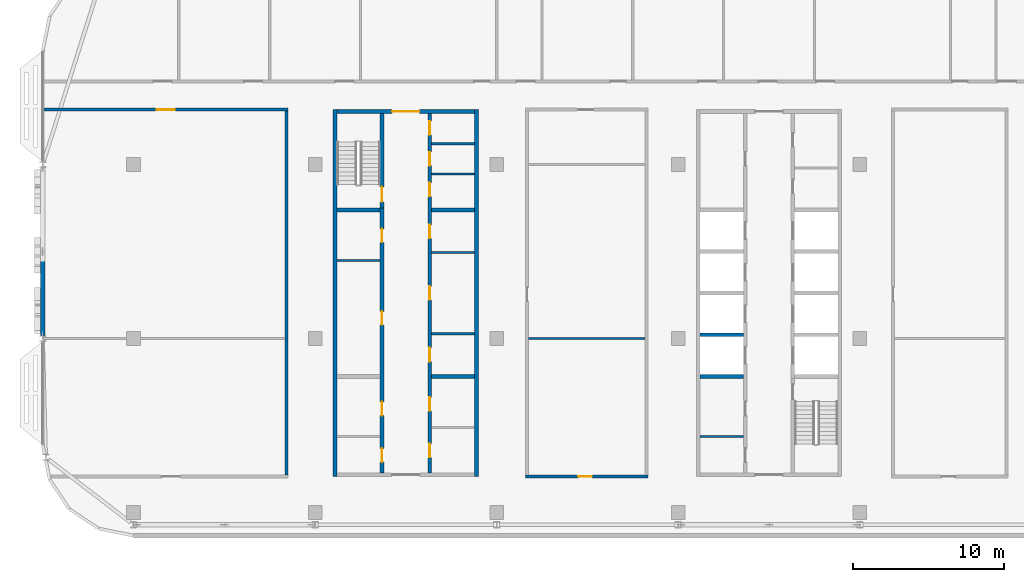
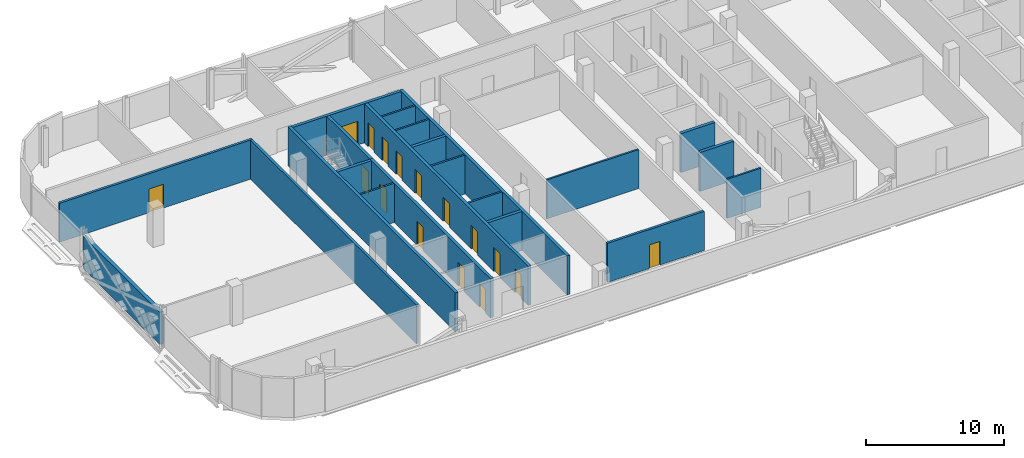
# One storey, part 13 of 29: 22 walls, 16 doors, 16 openings.
"""IFC4 building model written with IfcOpenShell, lengths in metres."""

import ifcopenshell
import ifcopenshell.guid

model = None  # the IFC model being written
_history = None  # IfcOwnerHistory: only IFC2X3 demands one
_inside = {}  # id of a spatial element -> (the spatial element, [elements in it])
_under = {}  # id of a project, library or spatial element -> (it, [spatial elements below it])
_declared = {}  # id of a project -> (the project, [libraries it declares])
_typed = {}  # id of a type object -> (the type object, [elements of that type])
_made_of = {}  # id of a material, layer set ... -> (it, [elements and type objects made of it])


def new_model(schema):
    """Start an empty IFC model of exactly this schema.

    Asked for "IFC4X3", IfcOpenShell would pick the latest addendum, in which some entities
    have other attributes; the version numbers below select the first issue.
    IFC2X3 requires an IfcOwnerHistory on every rooted entity: one is made here for all.
    """
    global model, _history
    if schema == "IFC4X3":
        model = ifcopenshell.file(schema_version=(4, 3, 0, 0))
    else:
        model = ifcopenshell.file(schema=schema)
    _inside.clear()
    _under.clear()
    _declared.clear()
    _typed.clear()
    _made_of.clear()
    _history = None
    if model.schema == "IFC2X3":
        org = make("IfcOrganization", Name="unknown")
        user = make(
            "IfcPersonAndOrganization",
            ThePerson=make("IfcPerson", FamilyName="unknown"),
            TheOrganization=org,
        )
        app = make(
            "IfcApplication",
            ApplicationDeveloper=org,
            Version="unknown",
            ApplicationFullName="unknown",
            ApplicationIdentifier="unknown",
        )
        _history = make(
            "IfcOwnerHistory",
            OwningUser=user,
            OwningApplication=app,
            ChangeAction="ADDED",
            CreationDate=0,
        )
    return model


def make(cls, **values):
    """One entity of the class cls with the attributes given. An attribute that is None is left unset."""
    return model.create_entity(
        cls, **{name: value for name, value in values.items() if value is not None}
    )


def rooted(cls, **values):
    """An entity with a GlobalId (a new one), such as an element, a storey or a relation."""
    return make(cls, GlobalId=ifcopenshell.guid.new(), OwnerHistory=_history, **values)


def si_unit(unit_type, name, prefix=None):
    """IfcSIUnit, for example si_unit("LENGTHUNIT", "METRE", prefix="MILLI")."""
    return make("IfcSIUnit", UnitType=unit_type, Prefix=prefix, Name=name)


def assignment(units):
    """IfcUnitAssignment: the units of a project."""
    return None if units is None else make("IfcUnitAssignment", Units=units)


def point(xyz):
    """IfcCartesianPoint."""
    return None if xyz is None else make("IfcCartesianPoint", Coordinates=xyz)


def direction(xyz):
    """IfcDirection."""
    return None if xyz is None else make("IfcDirection", DirectionRatios=xyz)


def frame(location, z_axis=None, x_axis=None):
    """IfcAxis2Placement3D, a coordinate frame: its origin and axes. An axis left out is left unset."""
    return make(
        "IfcAxis2Placement3D",
        Location=point(location),
        Axis=direction(z_axis),
        RefDirection=direction(x_axis),
    )


def frame_2d(location, x_axis=None):
    """IfcAxis2Placement2D, a coordinate frame in the plane: its origin and x axis."""
    return make(
        "IfcAxis2Placement2D", Location=point(location), RefDirection=direction(x_axis)
    )


def origin():
    """The frame at (0, 0, 0) with its axes left unset."""
    return frame((0.0, 0.0, 0.0))


def place(relative_to, where):
    """IfcLocalPlacement: puts the frame where relative to a parent placement (None: the world)."""
    return make(
        "IfcLocalPlacement", PlacementRelTo=relative_to, RelativePlacement=where
    )


def context(
    kind, dimensions, precision=None, world=None, true_north=None, identifier=None
):
    """IfcGeometricRepresentationContext, for example the 3D "Model" context."""
    return make(
        "IfcGeometricRepresentationContext",
        ContextIdentifier=identifier,
        ContextType=kind,
        CoordinateSpaceDimension=dimensions,
        Precision=precision,
        WorldCoordinateSystem=world,
        TrueNorth=true_north,
    )


def subcontext(parent, identifier, kind, view, scale=None):
    """IfcGeometricRepresentationSubContext, for example "Body" below "Model"."""
    return make(
        "IfcGeometricRepresentationSubContext",
        ContextIdentifier=identifier,
        ContextType=kind,
        ParentContext=parent,
        TargetScale=scale,
        TargetView=view,
    )


def project(units=None, contexts=None):
    """IfcProject with its units and contexts."""
    return rooted(
        "IfcProject",
        Name="project",
        RepresentationContexts=contexts,
        UnitsInContext=assignment(units),
    )


def spatial(cls, under=None, at=None, **own):
    """A site, building, storey or space (cls), placed at a placement, below another one or the project."""
    s = rooted(cls, ObjectPlacement=at, **own)
    if under is not None:
        _under.setdefault(under.id(), (under, []))[1].append(s)
    return s


def profile(cls, at=None, kind="AREA", **sizes):
    """A parametric profile (cls). Its sizes go by their IFC names, for example OverallWidth=200.0."""
    return make(cls, ProfileType=kind, Position=at, **sizes)


def rectangle(**sizes):
    """IfcRectangleProfileDef."""
    return profile("IfcRectangleProfileDef", **sizes)


def extrude(swept, where, along, depth):
    """IfcExtrudedAreaSolid: the profile swept, set in the frame where, extruded along a direction by depth."""
    return make(
        "IfcExtrudedAreaSolid",
        SweptArea=swept,
        Position=where,
        ExtrudedDirection=direction(along),
        Depth=depth,
    )


def shape(context_of_items, identifier, shape_type, items):
    """IfcShapeRepresentation: the items that make up one representation, for example the "Body"."""
    return make(
        "IfcShapeRepresentation",
        ContextOfItems=context_of_items,
        RepresentationIdentifier=identifier,
        RepresentationType=shape_type,
        Items=items,
    )


def material(Name=None, Category=None):
    """IfcMaterial."""
    return make("IfcMaterial", Name=Name, Category=Category)


def layer(
    of_material, thickness, ventilated=None, Name=None, Category=None, Priority=None
):
    """IfcMaterialLayer: one layer of a wall or slab, of a material (None: an air gap)."""
    return make(
        "IfcMaterialLayer",
        Material=of_material,
        LayerThickness=thickness,
        IsVentilated=ventilated,
        Name=Name,
        Category=Category,
        Priority=Priority,
    )


def layer_set(layers, Name=None):
    """IfcMaterialLayerSet."""
    return make("IfcMaterialLayerSet", MaterialLayers=layers, LayerSetName=Name)


def made_of(thing, what):
    """Note that an element or type object is made of a material, layer set ...; save() writes the relation."""
    if what is not None:
        _made_of.setdefault(what.id(), (what, []))[1].append(thing)
    return thing


def type_object(cls, material=None, **own):
    """A type object (cls), such as IfcWallType, which elements share."""
    return made_of(rooted(cls, **own), material)


def element(
    cls,
    number,
    at=None,
    inside=None,
    cuts=None,
    type_object=None,
    material=None,
    context=None,
    identifier="Body",
    shape_type=None,
    held_by="IfcProductDefinitionShape",
    body=None,
    shapes=None,
    **own,
):
    """One element of the class cls, such as IfcWall. Its Tag is "e" and its number.

    at: its placement. inside: the storey or other place that contains it. cuts: it is an
    opening in that element (IfcRelVoidsElement). A single representation is given by context,
    identifier, shape_type and body (its items); several are given by shapes. held_by: the class
    of the entity that holds the representations. save() writes the other relations.
    """
    e = rooted(cls, Tag="e%d" % number, ObjectPlacement=at, **own)
    if body is not None:
        shapes = [shape(context, identifier, shape_type, body)]
    if shapes is not None:
        e.Representation = make(held_by, Representations=shapes)
    if inside is not None:
        _inside.setdefault(inside.id(), (inside, []))[1].append(e)
    if cuts is not None:
        rooted(
            "IfcRelVoidsElement", RelatingBuildingElement=cuts, RelatedOpeningElement=e
        )
    if type_object is not None:
        _typed.setdefault(type_object.id(), (type_object, []))[1].append(e)
    return made_of(e, material)


def fill(opening, filler):
    """IfcRelFillsElement: the door or window that sits in an opening."""
    return rooted(
        "IfcRelFillsElement",
        RelatingOpeningElement=opening,
        RelatedBuildingElement=filler,
    )


def aggregate(whole, parts):
    """IfcRelAggregates: a whole, such as a stair, and the parts it consists of."""
    return rooted("IfcRelAggregates", RelatingObject=whole, RelatedObjects=parts)


def save(model, path):
    """Write the relations noted so far, then the file.

    IfcRelAggregates (storeys below a building ...), IfcRelContainedInSpatialStructure (elements
    in a storey), IfcRelDefinesByType, IfcRelAssociatesMaterial and IfcRelDeclares: one each for
    every whole, place, type object, material and project.
    """
    for whole, parts in _under.values():
        aggregate(whole, parts)
    for where, things in _inside.values():
        rooted(
            "IfcRelContainedInSpatialStructure",
            RelatedElements=things,
            RelatingStructure=where,
        )
    for kind, things in _typed.values():
        rooted("IfcRelDefinesByType", RelatedObjects=things, RelatingType=kind)
    for what, things in _made_of.values():
        rooted("IfcRelAssociatesMaterial", RelatedObjects=things, RelatingMaterial=what)
    for by, libraries in _declared.values():
        rooted("IfcRelDeclares", RelatingContext=by, RelatedDefinitions=libraries)
    model.write(path)


model = new_model("IFC4")

# Units and contexts
model_context = context("Model", 3, precision=1e-05, world=origin(), true_north=direction((0.0, 1.0)))
body_context = subcontext(model_context, "Body", "Model", "MODEL_VIEW")
ifc_project = project(units=[si_unit("LENGTHUNIT", "METRE"), si_unit("AREAUNIT", "SQUARE_METRE"), si_unit("VOLUMEUNIT", "CUBIC_METRE"), si_unit("PLANEANGLEUNIT", "RADIAN"), si_unit("MASSUNIT", "GRAM", prefix="KILO")], contexts=[model_context])

# Site, building, storey
site_placement = place(None, origin())
site = spatial("IfcSite", under=ifc_project, at=site_placement, CompositionType="ELEMENT")
building_placement = place(site_placement, origin())
building = spatial("IfcBuilding", under=site, at=building_placement, Name="Mahtab Terrace Research Tower", CompositionType="ELEMENT")
storey_placement = place(building_placement, frame((0.0, 0.0, 274.699951171875)))
storey = spatial("IfcBuildingStorey", under=building, at=storey_placement, Name="L67", CompositionType="ELEMENT", Elevation=274.699951171875)

# Walls
ifc_material_1 = material(Name="Gypsum board partition")
ifc_layer_1 = layer(ifc_material_1, 0.14990234375)
ifc_layer_set_1 = layer_set([ifc_layer_1], Name="Core partition 150")
wall_type_1 = type_object("IfcWallType", Name="Core partition 150", PredefinedType="PARTITIONING", material=ifc_layer_set_1)
for number, where, z_axis, x_axis, name in (
    (1, (-28.550048828125, 5.14990234375, 0.0), (0.0, 0.0, 1.0), (1.0, 0.0, 0.0), "Core wall A pWL215"),
    (2, (-22.300048828125, 0.3125, 0.0), (0.0, 0.0, 1.0), (1.0, 0.0, 0.0), "Core wall A pEL-269"),
    (3, (-22.300048828125, 5.6875, 0.0), (0.0, 0.0, 1.0), (1.0, 0.0, 0.0), "Core wall A pEL269"),
    (4, (-22.300048828125, 10.875, 0.0), (0.0, 0.0, 1.0), (1.0, 0.0, 0.0), "Core wall A pEN788"),
    (5, (-22.300048828125, 12.875, 0.0), (0.0, 0.0, 1.0), (1.0, 0.0, 0.0), "Core wall A pEN988"),
    (6, (-4.550048828125, -6.47509765625, 0.0), (0.0, 0.0, 1.0), (1.0, 0.0, 0.0), "Core wall B pWS-948"),
):
    element("IfcWall", number, at=place(storey_placement, frame(where, z_axis=z_axis, x_axis=x_axis)), inside=storey, type_object=wall_type_1, Name=name, PredefinedType="PARTITIONING", context=body_context, shape_type="SweptSolid", body=[
        extrude(rectangle(XDim=2.85009765625, YDim=0.14990234375, at=frame_2d((1.425048828125, 0.0))), origin(), (0.0, 0.0, 1.0), 3.4599609375),
    ])
ifc_material_2 = material(Name="Concrete C70/85", Category="concrete")
ifc_layer_2 = layer(ifc_material_2, 0.25)
ifc_layer_set_2 = layer_set([ifc_layer_2], Name="Core wall 250")
wall_type_2 = type_object("IfcWallType", Name="Core wall 250", PredefinedType="SOLIDWALL", material=ifc_layer_set_2)
for number, where, z_axis, x_axis, name in (
    (7, (-28.675048828125, 15.125, 0.0), (0.0, 0.0, 1.0), (0.0, -1.0, 0.0), "Core wall A outerW"),
    (8, (-19.324951171875, -9.125, 0.0), (0.0, 0.0, 1.0), (0.0, 1.0, 0.0), "Core wall A outerE"),
):
    element("IfcWall", number, at=place(storey_placement, frame(where, z_axis=z_axis, x_axis=x_axis)), inside=storey, type_object=wall_type_2, Name=name, PredefinedType="SOLIDWALL", context=body_context, shape_type="SweptSolid", body=[
        extrude(rectangle(XDim=24.25, YDim=0.25, at=frame_2d((12.125, 0.0))), origin(), (0.0, 0.0, 1.0), 3.4599609375),
    ])

# Wall, opening, door
wall_1_placement = place(storey_placement, frame((-28.550048828125, 15.0, 0.0), z_axis=(0.0, 0.0, 1.0), x_axis=(1.0, 0.0, 0.0)))
wall_1 = element("IfcWall", 9, at=wall_1_placement, inside=storey, type_object=wall_type_2, Name="Core wall A endN", PredefinedType="SOLIDWALL", context=body_context, shape_type="SweptSolid", body=[
    extrude(rectangle(XDim=9.10009765625, YDim=0.25, at=frame_2d((4.550048828125, 0.0))), origin(), (0.0, 0.0, 1.0), 3.4599609375),
])
opening_1_placement = place(wall_1_placement, frame((3.64990234375, 0.0, 0.0)))
opening_1 = element("IfcOpeningElement", 10, at=opening_1_placement, cuts=wall_1, Name="Opening A-N1", PredefinedType="OPENING", context=body_context, shape_type="SweptSolid", body=[
    extrude(rectangle(XDim=1.800048828125, YDim=2.10009765625, at=frame_2d((0.89990234375, 1.050048828125))), frame((0.0, 0.135009765625, 0.0), z_axis=(0.0, -1.0, 0.0), x_axis=(1.0, 0.0, 0.0)), (0.0, 0.0, 1.0), 0.27001953125),
])
ifc_material_3 = material(Name="Steel fire door", Category="steel")
door_type_1 = type_object("IfcDoorType", Name="Lobby double door 1800x2100 1 HR", OperationType="DOUBLE_DOOR_SINGLE_SWING", PredefinedType="DOOR", material=ifc_material_3)
door_1_placement = place(opening_1_placement, origin())
door_1 = element("IfcDoor", 11, at=door_1_placement, inside=storey, type_object=door_type_1, Name="Core entrance door A N", OperationType="DOUBLE_DOOR_SINGLE_SWING", OverallHeight=2.10009765625, OverallWidth=1.800048828125, PredefinedType="DOOR", context=body_context, shape_type="SweptSolid", body=[
    extrude(rectangle(XDim=1.800048828125, YDim=2.10009765625, at=frame_2d((0.89990234375, 1.050048828125))), frame((0.0, 0.02490234375, 0.0), z_axis=(0.0, -1.0, 0.0), x_axis=(1.0, 0.0, 0.0)), (0.0, 0.0, 1.0), 0.050048828125),
])
fill(opening_1, door_1)

# Wall, openings, doors
wall_2_placement = place(storey_placement, frame((-25.574951171875, -8.875, 0.0), z_axis=(0.0, 0.0, 1.0), x_axis=(0.0, 1.0, 0.0)))
wall_2 = element("IfcWall", 12, at=wall_2_placement, inside=storey, type_object=wall_type_2, Name="Core wall A innerWSL", PredefinedType="SOLIDWALL", context=body_context, shape_type="SweptSolid", body=[
    extrude(rectangle(XDim=17.5, YDim=0.25, at=frame_2d((8.75, 0.0))), origin(), (0.0, 0.0, 1.0), 3.4599609375),
])
opening_2_placement = place(wall_2_placement, frame((9.77490234375, 0.0, 0.0)))
opening_2 = element("IfcOpeningElement", 13, at=opening_2_placement, cuts=wall_2, Name="Opening A-R1", PredefinedType="OPENING", context=body_context, shape_type="SweptSolid", body=[
    extrude(rectangle(XDim=0.89990234375, YDim=2.10009765625, at=frame_2d((0.449951171875, 1.050048828125))), frame((0.0, 0.135009765625, 0.0), z_axis=(0.0, -1.0, 0.0), x_axis=(1.0, 0.0, 0.0)), (0.0, 0.0, 1.0), 0.27001953125),
])
opening_3_placement = place(wall_2_placement, frame((15.22509765625, 0.0, 0.0)))
opening_3 = element("IfcOpeningElement", 14, at=opening_3_placement, cuts=wall_2, Name="Opening A-R2", PredefinedType="OPENING", context=body_context, shape_type="SweptSolid", body=[
    extrude(rectangle(XDim=0.89990234375, YDim=2.10009765625, at=frame_2d((0.449951171875, 1.050048828125))), frame((0.0, 0.135009765625, 0.0), z_axis=(0.0, -1.0, 0.0), x_axis=(1.0, 0.0, 0.0)), (0.0, 0.0, 1.0), 0.27001953125),
])
opening_4_placement = place(wall_2_placement, frame((0.71240234375, 0.0, 0.0)))
opening_4 = element("IfcOpeningElement", 15, at=opening_4_placement, cuts=wall_2, Name="Opening A-R6", PredefinedType="OPENING", context=body_context, shape_type="SweptSolid", body=[
    extrude(rectangle(XDim=0.89990234375, YDim=2.10009765625, at=frame_2d((0.449951171875, 1.050048828125))), frame((0.0, 0.135009765625, 0.0), z_axis=(0.0, -1.0, 0.0), x_axis=(1.0, 0.0, 0.0)), (0.0, 0.0, 1.0), 0.27001953125),
])
opening_5_placement = place(wall_2_placement, frame((3.78759765625, 0.0, 0.0)))
opening_5 = element("IfcOpeningElement", 16, at=opening_5_placement, cuts=wall_2, Name="Opening A-R7", PredefinedType="OPENING", context=body_context, shape_type="SweptSolid", body=[
    extrude(rectangle(XDim=0.89990234375, YDim=2.10009765625, at=frame_2d((0.449951171875, 1.050048828125))), frame((0.0, 0.135009765625, 0.0), z_axis=(0.0, -1.0, 0.0), x_axis=(1.0, 0.0, 0.0)), (0.0, 0.0, 1.0), 0.27001953125),
])
door_type_2 = type_object("IfcDoorType", Name="Room door 900x2100 1 HR", OperationType="NOTDEFINED", PredefinedType="DOOR", material=ifc_material_3)
door_2_placement = place(opening_2_placement, origin())
door_2 = element("IfcDoor", 17, at=door_2_placement, inside=storey, type_object=door_type_2, Name="Chemical store door", OperationType="SINGLE_SWING_LEFT", OverallHeight=2.10009765625, OverallWidth=0.89990234375, PredefinedType="DOOR", context=body_context, shape_type="SweptSolid", body=[
    extrude(rectangle(XDim=0.89990234375, YDim=2.10009765625, at=frame_2d((0.449951171875, 1.050048828125))), frame((0.0, 0.02490234375, 0.0), z_axis=(0.0, -1.0, 0.0), x_axis=(1.0, 0.0, 0.0)), (0.0, 0.0, 1.0), 0.050048828125),
])
fill(opening_2, door_2)
door_3_placement = place(opening_3_placement, origin())
door_3 = element("IfcDoor", 18, at=door_3_placement, inside=storey, type_object=door_type_2, Name="Waste room door", OperationType="SINGLE_SWING_RIGHT", OverallHeight=2.10009765625, OverallWidth=0.89990234375, PredefinedType="DOOR", context=body_context, shape_type="SweptSolid", body=[
    extrude(rectangle(XDim=0.89990234375, YDim=2.10009765625, at=frame_2d((0.449951171875, 1.050048828125))), frame((0.0, 0.02490234375, 0.0), z_axis=(0.0, -1.0, 0.0), x_axis=(1.0, 0.0, 0.0)), (0.0, 0.0, 1.0), 0.050048828125),
])
fill(opening_3, door_3)
door_4_placement = place(opening_4_placement, origin())
door_4 = element("IfcDoor", 19, at=door_4_placement, inside=storey, type_object=door_type_2, Name="Accessible WC door", OperationType="SINGLE_SWING_RIGHT", OverallHeight=2.10009765625, OverallWidth=0.89990234375, PredefinedType="DOOR", context=body_context, shape_type="SweptSolid", body=[
    extrude(rectangle(XDim=0.89990234375, YDim=2.10009765625, at=frame_2d((0.449951171875, 1.050048828125))), frame((0.0, 0.02490234375, 0.0), z_axis=(0.0, -1.0, 0.0), x_axis=(1.0, 0.0, 0.0)), (0.0, 0.0, 1.0), 0.050048828125),
])
fill(opening_4, door_4)
door_5_placement = place(opening_5_placement, origin())
door_5 = element("IfcDoor", 20, at=door_5_placement, inside=storey, type_object=door_type_2, Name="WC block door", OperationType="SINGLE_SWING_LEFT", OverallHeight=2.10009765625, OverallWidth=0.89990234375, PredefinedType="DOOR", context=body_context, shape_type="SweptSolid", body=[
    extrude(rectangle(XDim=0.89990234375, YDim=2.10009765625, at=frame_2d((0.449951171875, 1.050048828125))), frame((0.0, 0.02490234375, 0.0), z_axis=(0.0, -1.0, 0.0), x_axis=(1.0, 0.0, 0.0)), (0.0, 0.0, 1.0), 0.050048828125),
])
fill(opening_5, door_5)

# Wall, opening, door
wall_3_placement = place(storey_placement, frame((-25.574951171875, 14.875, 0.0), z_axis=(0.0, 0.0, 1.0), x_axis=(0.0, -1.0, 0.0)))
wall_3 = element("IfcWall", 21, at=wall_3_placement, inside=storey, type_object=wall_type_2, Name="Core wall A innerWN", PredefinedType="SOLIDWALL", context=body_context, shape_type="SweptSolid", body=[
    extrude(rectangle(XDim=6.25, YDim=0.25, at=frame_2d((3.125, 0.0))), origin(), (0.0, 0.0, 1.0), 3.4599609375),
])
opening_6_placement = place(wall_3_placement, frame((4.85009765625, 0.0, 0.0)))
opening_6 = element("IfcOpeningElement", 22, at=opening_6_placement, cuts=wall_3, Name="Opening A-ST1", PredefinedType="OPENING", context=body_context, shape_type="SweptSolid", body=[
    extrude(rectangle(XDim=1.0, YDim=2.10009765625, at=frame_2d((0.5, 1.050048828125))), frame((0.0, 0.135009765625, 0.0), z_axis=(0.0, -1.0, 0.0), x_axis=(1.0, 0.0, 0.0)), (0.0, 0.0, 1.0), 0.27001953125),
])
door_type_3 = type_object("IfcDoorType", Name="Stair door 1000x2100 1.5 HR", OperationType="NOTDEFINED", PredefinedType="DOOR", material=ifc_material_3)
door_6_placement = place(opening_6_placement, origin())
door_6 = element("IfcDoor", 23, at=door_6_placement, inside=storey, type_object=door_type_3, Name="Stair door ST1 L67", OperationType="SINGLE_SWING_LEFT", OverallHeight=2.10009765625, OverallWidth=1.0, PredefinedType="DOOR", context=body_context, shape_type="SweptSolid", body=[
    extrude(rectangle(XDim=1.0, YDim=2.10009765625, at=frame_2d((0.5, 1.050048828125))), frame((0.0, 0.02490234375, 0.0), z_axis=(0.0, -1.0, 0.0), x_axis=(1.0, 0.0, 0.0)), (0.0, 0.0, 1.0), 0.050048828125),
])
fill(opening_6, door_6)

# Wall, openings, doors
wall_4_placement = place(storey_placement, frame((-22.425048828125, 14.875, 0.0), z_axis=(0.0, 0.0, 1.0), x_axis=(0.0, -1.0, 0.0)))
wall_4 = element("IfcWall", 24, at=wall_4_placement, inside=storey, type_object=wall_type_2, Name="Core wall A innerESLN", PredefinedType="SOLIDWALL", context=body_context, shape_type="SweptSolid", body=[
    extrude(rectangle(XDim=23.75, YDim=0.25, at=frame_2d((11.875, 0.0))), origin(), (0.0, 0.0, 1.0), 3.4599609375),
])
opening_7_placement = place(wall_4_placement, frame((15.493896484375, 0.0, 0.0)))
opening_7 = element("IfcOpeningElement", 25, at=opening_7_placement, cuts=wall_4, Name="Opening A-R3", PredefinedType="OPENING", context=body_context, shape_type="SweptSolid", body=[
    extrude(rectangle(XDim=0.89990234375, YDim=2.10009765625, at=frame_2d((0.449951171875, 1.050048828125))), frame((0.0, 0.135009765625, 0.0), z_axis=(0.0, -1.0, 0.0), x_axis=(1.0, 0.0, 0.0)), (0.0, 0.0, 1.0), 0.27001953125),
])
opening_8_placement = place(wall_4_placement, frame((11.425048828125, 0.0, 0.0)))
opening_8 = element("IfcOpeningElement", 26, at=opening_8_placement, cuts=wall_4, Name="Opening A-R4", PredefinedType="OPENING", context=body_context, shape_type="SweptSolid", body=[
    extrude(rectangle(XDim=0.89990234375, YDim=2.10009765625, at=frame_2d((0.449951171875, 1.050048828125))), frame((0.0, 0.135009765625, 0.0), z_axis=(0.0, -1.0, 0.0), x_axis=(1.0, 0.0, 0.0)), (0.0, 0.0, 1.0), 0.27001953125),
])
opening_9_placement = place(wall_4_placement, frame((7.356201171875, 0.0, 0.0)))
opening_9 = element("IfcOpeningElement", 27, at=opening_9_placement, cuts=wall_4, Name="Opening A-R5", PredefinedType="OPENING", context=body_context, shape_type="SweptSolid", body=[
    extrude(rectangle(XDim=0.89990234375, YDim=2.10009765625, at=frame_2d((0.449951171875, 1.050048828125))), frame((0.0, 0.135009765625, 0.0), z_axis=(0.0, -1.0, 0.0), x_axis=(1.0, 0.0, 0.0)), (0.0, 0.0, 1.0), 0.27001953125),
])
opening_10_placement = place(wall_4_placement, frame((21.83740234375, 0.0, 0.0)))
opening_10 = element("IfcOpeningElement", 28, at=opening_10_placement, cuts=wall_4, Name="Opening A-R8", PredefinedType="OPENING", context=body_context, shape_type="SweptSolid", body=[
    extrude(rectangle(XDim=0.89990234375, YDim=2.10009765625, at=frame_2d((0.449951171875, 1.050048828125))), frame((0.0, 0.135009765625, 0.0), z_axis=(0.0, -1.0, 0.0), x_axis=(1.0, 0.0, 0.0)), (0.0, 0.0, 1.0), 0.27001953125),
])
opening_11_placement = place(wall_4_placement, frame((18.762451171875, 0.0, 0.0)))
opening_11 = element("IfcOpeningElement", 29, at=opening_11_placement, cuts=wall_4, Name="Opening A-R9", PredefinedType="OPENING", context=body_context, shape_type="SweptSolid", body=[
    extrude(rectangle(XDim=0.89990234375, YDim=2.10009765625, at=frame_2d((0.449951171875, 1.050048828125))), frame((0.0, 0.135009765625, 0.0), z_axis=(0.0, -1.0, 0.0), x_axis=(1.0, 0.0, 0.0)), (0.0, 0.0, 1.0), 0.27001953125),
])
opening_12_placement = place(wall_4_placement, frame((4.58740234375, 0.0, 0.0)))
opening_12 = element("IfcOpeningElement", 30, at=opening_12_placement, cuts=wall_4, Name="Opening A-R10", PredefinedType="OPENING", context=body_context, shape_type="SweptSolid", body=[
    extrude(rectangle(XDim=0.89990234375, YDim=2.10009765625, at=frame_2d((0.449951171875, 1.050048828125))), frame((0.0, 0.135009765625, 0.0), z_axis=(0.0, -1.0, 0.0), x_axis=(1.0, 0.0, 0.0)), (0.0, 0.0, 1.0), 0.27001953125),
])
opening_13_placement = place(wall_4_placement, frame((2.550048828125, 0.0, 0.0)))
opening_13 = element("IfcOpeningElement", 31, at=opening_13_placement, cuts=wall_4, Name="Opening A-R11", PredefinedType="OPENING", context=body_context, shape_type="SweptSolid", body=[
    extrude(rectangle(XDim=0.89990234375, YDim=2.10009765625, at=frame_2d((0.449951171875, 1.050048828125))), frame((0.0, 0.135009765625, 0.0), z_axis=(0.0, -1.0, 0.0), x_axis=(1.0, 0.0, 0.0)), (0.0, 0.0, 1.0), 0.27001953125),
])
opening_14_placement = place(wall_4_placement, frame((0.512451171875, 0.0, 0.0)))
opening_14 = element("IfcOpeningElement", 32, at=opening_14_placement, cuts=wall_4, Name="Opening A-R12", PredefinedType="OPENING", context=body_context, shape_type="SweptSolid", body=[
    extrude(rectangle(XDim=0.89990234375, YDim=2.10009765625, at=frame_2d((0.449951171875, 1.050048828125))), frame((0.0, 0.135009765625, 0.0), z_axis=(0.0, -1.0, 0.0), x_axis=(1.0, 0.0, 0.0)), (0.0, 0.0, 1.0), 0.27001953125),
])
door_7_placement = place(opening_7_placement, origin())
door_7 = element("IfcDoor", 33, at=door_7_placement, inside=storey, type_object=door_type_2, Name="Comms room door", OperationType="SINGLE_SWING_LEFT", OverallHeight=2.10009765625, OverallWidth=0.89990234375, PredefinedType="DOOR", context=body_context, shape_type="SweptSolid", body=[
    extrude(rectangle(XDim=0.89990234375, YDim=2.10009765625, at=frame_2d((0.449951171875, 1.050048828125))), frame((0.0, 0.02490234375, 0.0), z_axis=(0.0, -1.0, 0.0), x_axis=(1.0, 0.0, 0.0)), (0.0, 0.0, 1.0), 0.050048828125),
])
fill(opening_7, door_7)
door_8_placement = place(opening_8_placement, origin())
door_8 = element("IfcDoor", 34, at=door_8_placement, inside=storey, type_object=door_type_2, Name="Meeting alcove door", OperationType="SINGLE_SWING_RIGHT", OverallHeight=2.10009765625, OverallWidth=0.89990234375, PredefinedType="DOOR", context=body_context, shape_type="SweptSolid", body=[
    extrude(rectangle(XDim=0.89990234375, YDim=2.10009765625, at=frame_2d((0.449951171875, 1.050048828125))), frame((0.0, 0.02490234375, 0.0), z_axis=(0.0, -1.0, 0.0), x_axis=(1.0, 0.0, 0.0)), (0.0, 0.0, 1.0), 0.050048828125),
])
fill(opening_8, door_8)
door_9_placement = place(opening_9_placement, origin())
door_9 = element("IfcDoor", 35, at=door_9_placement, inside=storey, type_object=door_type_2, Name="Linen store door", OperationType="SINGLE_SWING_LEFT", OverallHeight=2.10009765625, OverallWidth=0.89990234375, PredefinedType="DOOR", context=body_context, shape_type="SweptSolid", body=[
    extrude(rectangle(XDim=0.89990234375, YDim=2.10009765625, at=frame_2d((0.449951171875, 1.050048828125))), frame((0.0, 0.02490234375, 0.0), z_axis=(0.0, -1.0, 0.0), x_axis=(1.0, 0.0, 0.0)), (0.0, 0.0, 1.0), 0.050048828125),
])
fill(opening_9, door_9)
door_10_placement = place(opening_10_placement, origin())
door_10 = element("IfcDoor", 36, at=door_10_placement, inside=storey, type_object=door_type_2, Name="Housekeeping store door", OperationType="SINGLE_SWING_RIGHT", OverallHeight=2.10009765625, OverallWidth=0.89990234375, PredefinedType="DOOR", context=body_context, shape_type="SweptSolid", body=[
    extrude(rectangle(XDim=0.89990234375, YDim=2.10009765625, at=frame_2d((0.449951171875, 1.050048828125))), frame((0.0, 0.02490234375, 0.0), z_axis=(0.0, -1.0, 0.0), x_axis=(1.0, 0.0, 0.0)), (0.0, 0.0, 1.0), 0.050048828125),
])
fill(opening_10, door_10)
door_11_placement = place(opening_11_placement, origin())
door_11 = element("IfcDoor", 37, at=door_11_placement, inside=storey, type_object=door_type_2, Name="Electrical riser room door", OperationType="SINGLE_SWING_LEFT", OverallHeight=2.10009765625, OverallWidth=0.89990234375, PredefinedType="DOOR", context=body_context, shape_type="SweptSolid", body=[
    extrude(rectangle(XDim=0.89990234375, YDim=2.10009765625, at=frame_2d((0.449951171875, 1.050048828125))), frame((0.0, 0.02490234375, 0.0), z_axis=(0.0, -1.0, 0.0), x_axis=(1.0, 0.0, 0.0)), (0.0, 0.0, 1.0), 0.050048828125),
])
fill(opening_11, door_11)
door_12_placement = place(opening_12_placement, origin())
door_12 = element("IfcDoor", 38, at=door_12_placement, inside=storey, type_object=door_type_2, Name="Comms riser room door", OperationType="SINGLE_SWING_RIGHT", OverallHeight=2.10009765625, OverallWidth=0.89990234375, PredefinedType="DOOR", context=body_context, shape_type="SweptSolid", body=[
    extrude(rectangle(XDim=0.89990234375, YDim=2.10009765625, at=frame_2d((0.449951171875, 1.050048828125))), frame((0.0, 0.02490234375, 0.0), z_axis=(0.0, -1.0, 0.0), x_axis=(1.0, 0.0, 0.0)), (0.0, 0.0, 1.0), 0.050048828125),
])
fill(opening_12, door_12)
door_13_placement = place(opening_13_placement, origin())
door_13 = element("IfcDoor", 39, at=door_13_placement, inside=storey, type_object=door_type_2, Name="Pantry door", OperationType="SINGLE_SWING_LEFT", OverallHeight=2.10009765625, OverallWidth=0.89990234375, PredefinedType="DOOR", context=body_context, shape_type="SweptSolid", body=[
    extrude(rectangle(XDim=0.89990234375, YDim=2.10009765625, at=frame_2d((0.449951171875, 1.050048828125))), frame((0.0, 0.02490234375, 0.0), z_axis=(0.0, -1.0, 0.0), x_axis=(1.0, 0.0, 0.0)), (0.0, 0.0, 1.0), 0.050048828125),
])
fill(opening_13, door_13)
door_14_placement = place(opening_14_placement, origin())
door_14 = element("IfcDoor", 40, at=door_14_placement, inside=storey, type_object=door_type_2, Name="Cleaners store door", OperationType="SINGLE_SWING_RIGHT", OverallHeight=2.10009765625, OverallWidth=0.89990234375, PredefinedType="DOOR", context=body_context, shape_type="SweptSolid", body=[
    extrude(rectangle(XDim=0.89990234375, YDim=2.10009765625, at=frame_2d((0.449951171875, 1.050048828125))), frame((0.0, 0.02490234375, 0.0), z_axis=(0.0, -1.0, 0.0), x_axis=(1.0, 0.0, 0.0)), (0.0, 0.0, 1.0), 0.050048828125),
])
fill(opening_14, door_14)

# Walls
for number, where, z_axis, x_axis, name in (
    (41, (-28.550048828125, 8.5, 0.0), (0.0, 0.0, 1.0), (1.0, 0.0, 0.0), "Core wall A divW4"),
    (42, (-22.300048828125, -2.5, 0.0), (0.0, 0.0, 1.0), (1.0, 0.0, 0.0), "Core wall A divE0"),
    (43, (-22.300048828125, 8.5, 0.0), (0.0, 0.0, 1.0), (1.0, 0.0, 0.0), "Core wall A divE4"),
    (44, (-4.550048828125, -2.5, 0.0), (0.0, 0.0, 1.0), (1.0, 0.0, 0.0), "Core wall B divW0"),
    (45, (-4.550048828125, 0.25, 0.0), (0.0, 0.0, 1.0), (1.0, 0.0, 0.0), "Core wall B divW1"),
):
    element("IfcWall", number, at=place(storey_placement, frame(where, z_axis=z_axis, x_axis=x_axis)), inside=storey, type_object=wall_type_2, Name=name, PredefinedType="SOLIDWALL", context=body_context, shape_type="SweptSolid", body=[
        extrude(rectangle(XDim=2.85009765625, YDim=0.25, at=frame_2d((1.425048828125, 0.0))), origin(), (0.0, 0.0, 1.0), 3.4599609375),
    ])
ifc_material_4 = material(Name="Black aluminium cladding panel", Category="aluminium")
ifc_layer_3 = layer(ifc_material_4, 0.300048828125)
ifc_layer_set_3 = layer_set([ifc_layer_3], Name="Opaque facade wall 300")
wall_type_3 = type_object("IfcWallType", Name="Opaque facade wall 300", PredefinedType="NOTDEFINED", material=ifc_layer_set_3)
wall_5_placement = place(storey_placement, frame((-48.0, 11.31201171875, 0.0), z_axis=(0.0, 0.0, 1.0), x_axis=(0.0, -1.0, 0.0)))
element("IfcWall", 46, at=wall_5_placement, inside=storey, type_object=wall_type_3, Name="Opaque facade wall L67 W9", PredefinedType="NOTDEFINED", context=body_context, shape_type="SweptSolid", body=[
    extrude(rectangle(XDim=11.1240234375, YDim=0.300048828125, at=frame_2d((5.56201171875, 0.0))), origin(), (0.0, 0.0, 1.0), 2.85302734375),
])

# Wall, opening, door
ifc_material_5 = material(Name="Gypsum board corridor wall on steel studs", Category="steel")
ifc_layer_4 = layer(ifc_material_5, 0.199951171875)
ifc_layer_set_4 = layer_set([ifc_layer_4], Name="WALL CORRIDOR 200")
wall_type_4 = type_object("IfcWallType", Name="WALL CORRIDOR 200", PredefinedType="PARTITIONING", material=ifc_layer_set_4)
wall_6_placement = place(storey_placement, frame((-16.10009765625, -9.125, 0.0), z_axis=(0.0, 0.0, 1.0), x_axis=(1.0, 0.0, 0.0)))
wall_6 = element("IfcWall", 47, at=wall_6_placement, inside=storey, type_object=wall_type_4, Name="L67-W002", PredefinedType="PARTITIONING", context=body_context, shape_type="SweptSolid", body=[
    extrude(rectangle(XDim=8.10009765625, YDim=0.199951171875, at=frame_2d((4.050048828125, 0.0))), origin(), (0.0, 0.0, 1.0), 3.4599609375),
])
opening_15_placement = place(wall_6_placement, frame((3.5, 0.0, 0.0)))
opening_15 = element("IfcOpeningElement", 48, at=opening_15_placement, cuts=wall_6, Name="Opening L67-102", PredefinedType="OPENING", context=body_context, shape_type="SweptSolid", body=[
    extrude(rectangle(XDim=0.89990234375, YDim=2.10009765625, at=frame_2d((0.449951171875, 1.050048828125))), frame((0.0, 0.10986328125, 0.0), z_axis=(0.0, -1.0, 0.0), x_axis=(1.0, 0.0, 0.0)), (0.0, 0.0, 1.0), 0.219970703125),
])
ifc_material_6 = material(Name="Timber door leaf in steel frame", Category="steel")
door_type_4 = type_object("IfcDoorType", Name="DOOR 0900X2100 FD30S", OperationType="SINGLE_SWING_LEFT", PredefinedType="DOOR", material=ifc_material_6)
door_15_placement = place(opening_15_placement, origin())
door_15 = element("IfcDoor", 49, at=door_15_placement, inside=storey, type_object=door_type_4, Name="Door L67-102", OperationType="SINGLE_SWING_LEFT", OverallHeight=2.10009765625, OverallWidth=0.89990234375, PredefinedType="DOOR", context=body_context, shape_type="SweptSolid", body=[
    extrude(rectangle(XDim=0.89990234375, YDim=2.10009765625, at=frame_2d((0.449951171875, 1.050048828125))), frame((0.0, 0.02490234375, 0.0), z_axis=(0.0, -1.0, 0.0), x_axis=(1.0, 0.0, 0.0)), (0.0, 0.0, 1.0), 0.050048828125),
])
fill(opening_15, door_15)

wall_7_placement = place(storey_placement, frame((-47.97509765625, 15.125, 0.0), z_axis=(0.0, 0.0, 1.0), x_axis=(1.0, 0.0, 0.0)))
wall_7 = element("IfcWall", 50, at=wall_7_placement, inside=storey, type_object=wall_type_4, Name="L67-W014", PredefinedType="PARTITIONING", context=body_context, shape_type="SweptSolid", body=[
    extrude(rectangle(XDim=16.175048828125, YDim=0.199951171875, at=frame_2d((8.08740234375, 0.0))), origin(), (0.0, 0.0, 1.0), 3.4599609375),
])
opening_16_placement = place(wall_7_placement, frame((7.5, 0.0, 0.0)))
opening_16 = element("IfcOpeningElement", 51, at=opening_16_placement, cuts=wall_7, Name="Opening L67-107", PredefinedType="OPENING", context=body_context, shape_type="SweptSolid", body=[
    extrude(rectangle(XDim=1.199951171875, YDim=2.10009765625, at=frame_2d((0.60009765625, 1.050048828125))), frame((0.0, 0.10986328125, 0.0), z_axis=(0.0, -1.0, 0.0), x_axis=(1.0, 0.0, 0.0)), (0.0, 0.0, 1.0), 0.219970703125),
])
door_type_5 = type_object("IfcDoorType", Name="DOOR 1200X2100 FD30S", OperationType="SINGLE_SWING_LEFT", PredefinedType="DOOR", material=ifc_material_6)
door_16_placement = place(opening_16_placement, origin())
door_16 = element("IfcDoor", 52, at=door_16_placement, inside=storey, type_object=door_type_5, Name="Door L67-107", OperationType="SINGLE_SWING_LEFT", OverallHeight=2.10009765625, OverallWidth=1.199951171875, PredefinedType="DOOR", context=body_context, shape_type="SweptSolid", body=[
    extrude(rectangle(XDim=1.199951171875, YDim=2.10009765625, at=frame_2d((0.60009765625, 1.050048828125))), frame((0.0, 0.02490234375, 0.0), z_axis=(0.0, -1.0, 0.0), x_axis=(1.0, 0.0, 0.0)), (0.0, 0.0, 1.0), 0.050048828125),
])
fill(opening_16, door_16)

# Walls
wall_8_placement = place(storey_placement, frame((-31.89990234375, -9.02490234375, 0.0), z_axis=(0.0, 0.0, 1.0), x_axis=(0.0, 1.0, 0.0)))
element("IfcWall", 53, at=wall_8_placement, inside=storey, type_object=wall_type_4, Name="L67-W021", PredefinedType="PARTITIONING", context=body_context, shape_type="SweptSolid", body=[
    extrude(rectangle(XDim=24.0498046875, YDim=0.199951171875, at=frame_2d((12.02490234375, 0.0))), origin(), (0.0, 0.0, 1.0), 3.4599609375),
])
ifc_material_7 = material(Name="Gypsum board partition on steel studs", Category="steel")
ifc_layer_5 = layer(ifc_material_7, 0.14990234375)
ifc_layer_set_5 = layer_set([ifc_layer_5], Name="WALL PARTITION 150")
wall_type_5 = type_object("IfcWallType", Name="WALL PARTITION 150", PredefinedType="PARTITIONING", material=ifc_layer_set_5)
wall_9_placement = place(storey_placement, frame((-15.89990234375, 0.0, 0.0), z_axis=(0.0, 0.0, 1.0), x_axis=(1.0, 0.0, 0.0)))
element("IfcWall", 54, at=wall_9_placement, inside=storey, type_object=wall_type_5, Name="L67-W007", PredefinedType="PARTITIONING", context=body_context, shape_type="SweptSolid", body=[
    extrude(rectangle(XDim=7.699951171875, YDim=0.14990234375, at=frame_2d((3.85009765625, 0.0))), origin(), (0.0, 0.0, 1.0), 3.4599609375),
])

save(model, "model.ifc")
